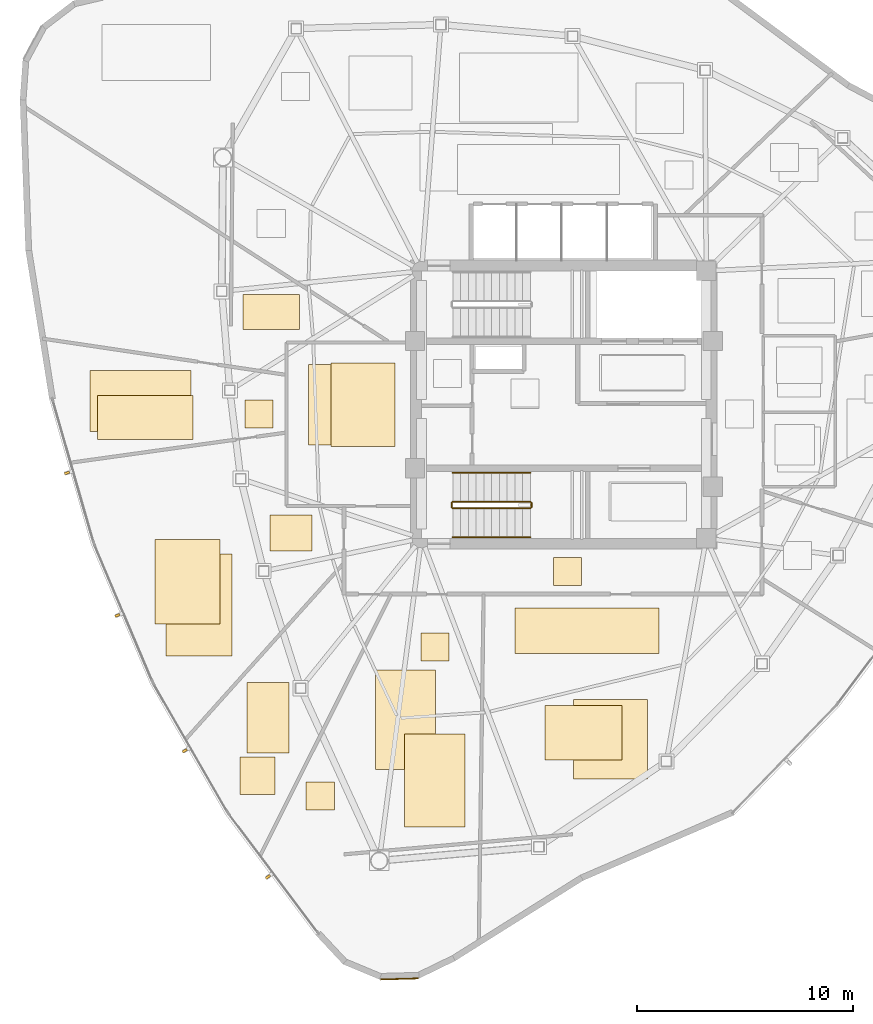
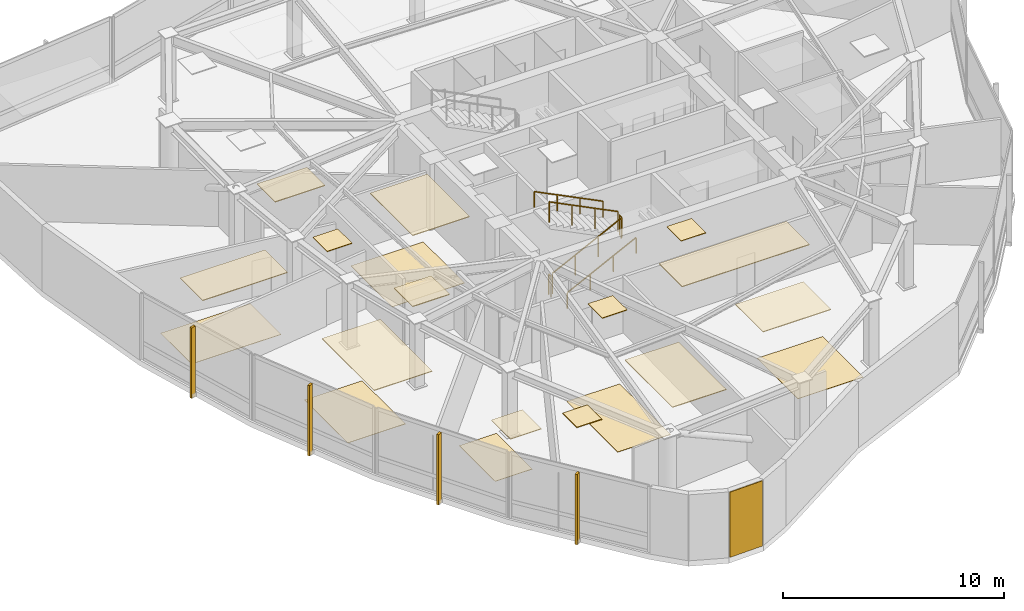
# One storey, part 12 of 14: 20 coverings, 6 railings, 4 shading devices.
"""IFC4 building model written with IfcOpenShell, lengths in metres."""

from ifc_helpers import new_model, si_unit, direction, frame, origin, origin_2d, place, context, subcontext, project, spatial, polyline, rectangle, outline, extrude, source, transform, mapped, material, layer, layer_set, type_object, type_shapes, element, save


model = new_model("IFC4")

# Units and contexts
model_context = context("Model", 3, precision=1e-05, world=origin(), true_north=direction((0.0, 1.0)))
body_context = subcontext(model_context, "Body", "Model", "MODEL_VIEW")
ifc_project = project(units=[si_unit("LENGTHUNIT", "METRE"), si_unit("AREAUNIT", "SQUARE_METRE"), si_unit("VOLUMEUNIT", "CUBIC_METRE"), si_unit("PLANEANGLEUNIT", "RADIAN"), si_unit("MASSUNIT", "GRAM", prefix="KILO")], contexts=[model_context])

# Site, building, storey
site_placement = place(None, origin())
site = spatial("IfcSite", under=ifc_project, at=site_placement, CompositionType="ELEMENT")
building_placement = place(site_placement, origin())
building = spatial("IfcBuilding", under=site, at=building_placement, Name="Tavelor Broadcast Tower", CompositionType="ELEMENT")
storey_placement = place(building_placement, frame((0.0, 0.0, 249.800048828125)))
storey = spatial("IfcBuildingStorey", under=building, at=storey_placement, Name="L59", CompositionType="ELEMENT", Elevation=249.800048828125)

# Covering
ifc_material_1 = material(Name="Copper-Bronze Anodized Aluminium", Category="aluminium")
ifc_layer_1 = layer(ifc_material_1, 0.050048828125)
ifc_layer_set_1 = layer_set([ifc_layer_1], Name="Copper-Bronze Anodized Aluminium")
covering_type_1 = type_object("IfcCoveringType", Name="Champagne-Bronze Corner Pier Metal Cladding 50 mm", PredefinedType="CLADDING", material=ifc_layer_set_1)
covering_1_placement = place(storey_placement, frame((42.3798828125, 18.376220703125, 0.02001953125), z_axis=(0.0, 0.0, 1.0), x_axis=(0.999585368194, 0.028793952368, 0.0)))
element("IfcCovering", 1, at=covering_1_placement, inside=storey, type_object=covering_type_1, Name="L59 Champagne-Bronze Corner Cladding 13", PredefinedType="CLADDING", context=body_context, shape_type="SweptSolid", body=[
    extrude(rectangle(XDim=1.739013671875, YDim=0.050048828125, at=origin_2d()), origin(), (0.0, 0.0, 1.0), 3.610107421875),
])

# Railings
ifc_material_2 = material(Name="Steel S355", Category="steel")
railing_type_1 = type_object("IfcRailingType", Name="Continuous Brushed Stainless Handrail 900 mm", PredefinedType="HANDRAIL", material=ifc_material_2)
railing_1_placement = place(storey_placement, frame((44.85009765625, 38.85009765625, 0.179443359375)))
element("IfcRailing", 2, at=railing_1_placement, inside=storey, type_object=railing_type_1, Name="L59 ST2 stair handrail 1", PredefinedType="HANDRAIL", context=body_context, shape_type="SweptSolid", body=[
    extrude(rectangle(XDim=0.048095703125, YDim=0.048095703125, at=origin_2d()), frame((0.0, 0.0, 0.8759765625), z_axis=(0.894875846893, 0.0, 0.446315156192), x_axis=(0.0, 1.0, 0.0)), (0.0, 0.0, 1.0), 4.022705078125),
    extrude(rectangle(XDim=0.0419921875, YDim=0.0419921875, at=origin_2d()), origin(), (0.0, 0.0, 1.0), 0.851806640625),
    extrude(rectangle(XDim=0.0419921875, YDim=0.0419921875, at=origin_2d()), frame((1.199951171875, 0.0, 0.598388671875)), (0.0, 0.0, 1.0), 0.851806640625),
    extrude(rectangle(XDim=0.0419921875, YDim=0.0419921875, at=origin_2d()), frame((2.39990234375, 0.0, 1.197021484375)), (0.0, 0.0, 1.0), 0.851806640625),
    extrude(rectangle(XDim=0.0419921875, YDim=0.0419921875, at=origin_2d()), frame((3.599853515625, 0.0, 1.79541015625)), (0.0, 0.0, 1.0), 0.851806640625),
])
railing_2_placement = place(storey_placement, frame((48.449951171875, 41.85009765625, 2.154541015625)))
element("IfcRailing", 3, at=railing_2_placement, inside=storey, type_object=railing_type_1, Name="L59 ST2 stair handrail 2", PredefinedType="HANDRAIL", context=body_context, shape_type="SweptSolid", body=[
    extrude(rectangle(XDim=0.048095703125, YDim=0.048095703125, at=origin_2d()), frame((0.0, 0.0, 0.8759765625), z_axis=(-0.894875846893, 0.0, 0.446315156192), x_axis=(0.0, -1.0, 0.0)), (0.0, 0.0, 1.0), 4.022705078125),
    extrude(rectangle(XDim=0.0419921875, YDim=0.0419921875, at=origin_2d()), origin(), (0.0, 0.0, 1.0), 0.851806640625),
    extrude(rectangle(XDim=0.0419921875, YDim=0.0419921875, at=origin_2d()), frame((-1.199951171875, 0.0, 0.598388671875)), (0.0, 0.0, 1.0), 0.851806640625),
    extrude(rectangle(XDim=0.0419921875, YDim=0.0419921875, at=origin_2d()), frame((-2.39990234375, 0.0, 1.197021484375)), (0.0, 0.0, 1.0), 0.851806640625),
    extrude(rectangle(XDim=0.0419921875, YDim=0.0419921875, at=origin_2d()), frame((-3.599853515625, 0.0, 1.79541015625)), (0.0, 0.0, 1.0), 0.851806640625),
])

# Coverings
ifc_material_3 = material(Name="Architectural Anodized Aluminium", Category="aluminium")
ifc_layer_2 = layer(ifc_material_3, 0.034912109375)
ifc_layer_set_2 = layer_set([ifc_layer_2], Name="Architectural Anodized Aluminium")
covering_type_2 = type_object("IfcCoveringType", Name="Demountable Metal Tile Corridor Ceiling 35 mm", PredefinedType="CEILING", material=ifc_layer_set_2)
covering_2_placement = place(storey_placement, frame((0.0, 0.0, 3.614990234375)))
element("IfcCovering", 4, at=covering_2_placement, inside=storey, type_object=covering_type_2, Name="L59 Suspended Acoustic Ceiling 2309", PredefinedType="CEILING", context=body_context, shape_type="SweptSolid", body=[
    extrude(outline(polyline([(49.51025390625, 36.610107421875), (50.810302734375, 36.610107421875), (50.810302734375, 37.909912109375), (49.51025390625, 37.909912109375), (49.51025390625, 36.610107421875)])), origin(), (0.0, 0.0, 1.0), 0.034912109375),
])
ifc_material_4 = material(Name="Acoustic Nylon Carpet Tile")
ifc_layer_3 = layer(ifc_material_4, 0.02001953125)
ifc_layer_set_3 = layer_set([ifc_layer_3], Name="Acoustic Nylon Carpet Tile")
covering_type_3 = type_object("IfcCoveringType", Name="Heavy-Duty Acoustic Broadcast Carpet Tile 20 mm", PredefinedType="FLOORING", material=ifc_layer_set_3)
covering_3_placement = place(storey_placement, origin())
element("IfcCovering", 5, at=covering_3_placement, inside=storey, type_object=covering_type_3, Name="L59 Broadcast Floor Finish 0866", PredefinedType="FLOORING", context=body_context, shape_type="SweptSolid", body=[
    extrude(outline(polyline([(38.15771484375, 43.12890625), (41.942138671875, 43.12890625), (41.942138671875, 46.87060546875), (38.15771484375, 46.87060546875), (38.15771484375, 43.12890625)])), origin(), (0.0, 0.0, 1.0), 0.02001953125),
])
covering_4_placement = place(storey_placement, origin())
element("IfcCovering", 6, at=covering_4_placement, inside=storey, type_object=covering_type_3, Name="L59 Broadcast Floor Finish 0869", PredefinedType="FLOORING", context=body_context, shape_type="SweptSolid", body=[
    extrude(outline(polyline([(50.444580078125, 27.650146484375), (53.87548828125, 27.650146484375), (53.87548828125, 31.341796875), (50.444580078125, 31.341796875), (50.444580078125, 27.650146484375)])), origin(), (0.0, 0.0, 1.0), 0.02001953125),
])
covering_5_placement = place(storey_placement, origin())
element("IfcCovering", 7, at=covering_5_placement, inside=storey, type_object=covering_type_3, Name="L59 Broadcast Floor Finish 0870", PredefinedType="FLOORING", context=body_context, shape_type="SweptSolid", body=[
    extrude(outline(polyline([(41.272216796875, 28.089599609375), (44.0439453125, 28.089599609375), (44.0439453125, 32.705810546875), (41.272216796875, 32.705810546875), (41.272216796875, 28.089599609375)])), origin(), (0.0, 0.0, 1.0), 0.02001953125),
])
covering_6_placement = place(storey_placement, origin())
element("IfcCovering", 8, at=covering_6_placement, inside=storey, type_object=covering_type_3, Name="L59 Broadcast Floor Finish 0871", PredefinedType="FLOORING", context=body_context, shape_type="SweptSolid", body=[
    extrude(outline(polyline([(35.30517578125, 28.85498046875), (37.250244140625, 28.85498046875), (37.250244140625, 32.114990234375), (35.30517578125, 32.114990234375), (35.30517578125, 28.85498046875)])), origin(), (0.0, 0.0, 1.0), 0.02001953125),
])
covering_7_placement = place(storey_placement, origin())
element("IfcCovering", 9, at=covering_7_placement, inside=storey, type_object=covering_type_3, Name="L59 Broadcast Floor Finish 0872", PredefinedType="FLOORING", context=body_context, shape_type="SweptSolid", body=[
    extrude(outline(polyline([(31.039794921875, 34.822265625), (34.057373046875, 34.822265625), (34.057373046875, 38.751708984375), (31.039794921875, 38.751708984375), (31.039794921875, 34.822265625)])), origin(), (0.0, 0.0, 1.0), 0.02001953125),
])
covering_8_placement = place(storey_placement, origin())
element("IfcCovering", 10, at=covering_8_placement, inside=storey, type_object=covering_type_3, Name="L59 Broadcast Floor Finish 0873", PredefinedType="FLOORING", context=body_context, shape_type="SweptSolid", body=[
    extrude(outline(polyline([(28.027587890625, 43.7626953125), (32.713623046875, 43.7626953125), (32.713623046875, 46.57568359375), (28.027587890625, 46.57568359375), (28.027587890625, 43.7626953125)])), origin(), (0.0, 0.0, 1.0), 0.02001953125),
])

# Railings
railing_type_2 = type_object("IfcRailingType", Name="Stairwell Steel Safety Guardrail 1150 mm", PredefinedType="GUARDRAIL", material=ifc_material_2)
railing_3_placement = place(storey_placement, frame((44.85009765625, 40.199951171875, 0.179443359375)))
element("IfcRailing", 11, at=railing_3_placement, inside=storey, type_object=railing_type_2, Name="L59 ST2 stair guard 1", PredefinedType="GUARDRAIL", context=body_context, shape_type="SweptSolid", body=[
    extrude(rectangle(XDim=0.048095703125, YDim=0.048095703125, at=origin_2d()), frame((0.0, 0.0, 1.1259765625), z_axis=(0.894875846893, 0.0, 0.446315156192), x_axis=(0.0, 1.0, 0.0)), (0.0, 0.0, 1.0), 4.022705078125),
    extrude(rectangle(XDim=0.0419921875, YDim=0.0419921875, at=origin_2d()), origin(), (0.0, 0.0, 1.0), 1.101806640625),
    extrude(rectangle(XDim=0.0419921875, YDim=0.0419921875, at=origin_2d()), frame((1.199951171875, 0.0, 0.598388671875)), (0.0, 0.0, 1.0), 1.101806640625),
    extrude(rectangle(XDim=0.0419921875, YDim=0.0419921875, at=origin_2d()), frame((2.39990234375, 0.0, 1.197021484375)), (0.0, 0.0, 1.0), 1.101806640625),
    extrude(rectangle(XDim=0.0419921875, YDim=0.0419921875, at=origin_2d()), frame((3.599853515625, 0.0, 1.79541015625)), (0.0, 0.0, 1.0), 1.101806640625),
])
railing_4_placement = place(storey_placement, frame((48.5, 40.25, 1.974853515625)))
element("IfcRailing", 12, at=railing_4_placement, inside=storey, type_object=railing_type_2, Name="L59 ST2 stair guard 2", PredefinedType="GUARDRAIL", context=body_context, shape_type="SweptSolid", body=[
    extrude(rectangle(XDim=0.048095703125, YDim=0.048095703125, at=origin_2d()), frame((0.0, 0.0, 1.1259765625), z_axis=(0.0, 1.0, 0.0), x_axis=(-1.0, 0.0, 0.0)), (0.0, 0.0, 1.0), 0.199951171875),
    extrude(rectangle(XDim=0.0419921875, YDim=0.0419921875, at=origin_2d()), origin(), (0.0, 0.0, 1.0), 1.101806640625),
    extrude(rectangle(XDim=0.0419921875, YDim=0.0419921875, at=origin_2d()), frame((0.0, 0.199951171875, 0.0)), (0.0, 0.0, 1.0), 1.101806640625),
])
railing_5_placement = place(storey_placement, frame((48.449951171875, 40.5, 2.154541015625)))
element("IfcRailing", 13, at=railing_5_placement, inside=storey, type_object=railing_type_2, Name="L59 ST2 stair guard 3", PredefinedType="GUARDRAIL", context=body_context, shape_type="SweptSolid", body=[
    extrude(rectangle(XDim=0.048095703125, YDim=0.048095703125, at=origin_2d()), frame((0.0, 0.0, 1.1259765625), z_axis=(-0.894875846893, 0.0, 0.446315156192), x_axis=(0.0, -1.0, 0.0)), (0.0, 0.0, 1.0), 4.022705078125),
    extrude(rectangle(XDim=0.0419921875, YDim=0.0419921875, at=origin_2d()), origin(), (0.0, 0.0, 1.0), 1.101806640625),
    extrude(rectangle(XDim=0.0419921875, YDim=0.0419921875, at=origin_2d()), frame((-1.199951171875, 0.0, 0.598388671875)), (0.0, 0.0, 1.0), 1.101806640625),
    extrude(rectangle(XDim=0.0419921875, YDim=0.0419921875, at=origin_2d()), frame((-2.39990234375, 0.0, 1.197021484375)), (0.0, 0.0, 1.0), 1.101806640625),
    extrude(rectangle(XDim=0.0419921875, YDim=0.0419921875, at=origin_2d()), frame((-3.599853515625, 0.0, 1.79541015625)), (0.0, 0.0, 1.0), 1.101806640625),
])
railing_6_placement = place(storey_placement, frame((44.800048828125, 40.25, 0.0)))
element("IfcRailing", 14, at=railing_6_placement, inside=storey, type_object=railing_type_2, Name="L59 ST2 stair guard 4", PredefinedType="GUARDRAIL", context=body_context, shape_type="SweptSolid", body=[
    extrude(rectangle(XDim=0.048095703125, YDim=0.048095703125, at=origin_2d()), frame((0.0, 0.0, 1.1259765625), z_axis=(0.0, 1.0, 0.0), x_axis=(-1.0, 0.0, 0.0)), (0.0, 0.0, 1.0), 0.199951171875),
    extrude(rectangle(XDim=0.0419921875, YDim=0.0419921875, at=origin_2d()), origin(), (0.0, 0.0, 1.0), 1.101806640625),
    extrude(rectangle(XDim=0.0419921875, YDim=0.0419921875, at=origin_2d()), frame((0.0, 0.199951171875, 0.0)), (0.0, 0.0, 1.0), 1.101806640625),
])

# Coverings
ifc_material_5 = material(Name="Acoustic Mineral Fibre Tile")
ifc_layer_4 = layer(ifc_material_5, 0.0400390625)
ifc_layer_set_4 = layer_set([ifc_layer_4], Name="Acoustic Mineral Fibre Tile")
covering_type_4 = type_object("IfcCoveringType", Name="Suspended Acoustic Mineral-Fibre Office Ceiling 40 mm", PredefinedType="CEILING", material=ifc_layer_set_4)
covering_9_placement = place(storey_placement, frame((0.0, 0.0, 3.60986328125)))
element("IfcCovering", 15, at=covering_9_placement, inside=storey, type_object=covering_type_4, Name="L59 Suspended Acoustic Ceiling 2310", PredefinedType="CEILING", context=body_context, shape_type="SweptSolid", body=[
    extrude(outline(polyline([(39.194580078125, 43.0712890625), (42.177978515625, 43.0712890625), (42.177978515625, 46.927978515625), (39.194580078125, 46.927978515625), (39.194580078125, 43.0712890625)])), origin(), (0.0, 0.0, 1.0), 0.0400390625),
])
covering_10_placement = place(storey_placement, frame((0.0, 0.0, 3.60986328125)))
element("IfcCovering", 16, at=covering_10_placement, inside=storey, type_object=covering_type_4, Name="L59 Suspended Acoustic Ceiling 2313", PredefinedType="CEILING", context=body_context, shape_type="SweptSolid", body=[
    extrude(outline(polyline([(49.135009765625, 28.53271484375), (52.697021484375, 28.53271484375), (52.697021484375, 31.042724609375), (49.135009765625, 31.042724609375), (49.135009765625, 28.53271484375)])), origin(), (0.0, 0.0, 1.0), 0.0400390625),
])
covering_11_placement = place(storey_placement, frame((0.0, 0.0, 3.60986328125)))
element("IfcCovering", 17, at=covering_11_placement, inside=storey, type_object=covering_type_4, Name="L59 Suspended Acoustic Ceiling 2314", PredefinedType="CEILING", context=body_context, shape_type="SweptSolid", body=[
    extrude(outline(polyline([(47.7451171875, 33.45849609375), (54.41455078125, 33.45849609375), (54.41455078125, 35.563720703125), (47.7451171875, 35.563720703125), (47.7451171875, 33.45849609375)])), origin(), (0.0, 0.0, 1.0), 0.0400390625),
])
covering_12_placement = place(storey_placement, frame((0.0, 0.0, 3.60986328125)))
element("IfcCovering", 18, at=covering_12_placement, inside=storey, type_object=covering_type_4, Name="L59 Suspended Acoustic Ceiling 2315", PredefinedType="CEILING", context=body_context, shape_type="SweptSolid", body=[
    extrude(outline(polyline([(38.0556640625, 26.214599609375), (39.355712890625, 26.214599609375), (39.355712890625, 27.514404296875), (38.0556640625, 27.514404296875), (38.0556640625, 26.214599609375)])), origin(), (0.0, 0.0, 1.0), 0.0400390625),
])
covering_13_placement = place(storey_placement, frame((0.0, 0.0, 3.60986328125)))
element("IfcCovering", 19, at=covering_13_placement, inside=storey, type_object=covering_type_4, Name="L59 Suspended Acoustic Ceiling 2316", PredefinedType="CEILING", context=body_context, shape_type="SweptSolid", body=[
    extrude(outline(polyline([(43.373046875, 33.119384765625), (44.673095703125, 33.119384765625), (44.673095703125, 34.41943359375), (43.373046875, 34.41943359375), (43.373046875, 33.119384765625)])), origin(), (0.0, 0.0, 1.0), 0.0400390625),
])
covering_14_placement = place(storey_placement, frame((0.0, 0.0, 3.60986328125)))
element("IfcCovering", 20, at=covering_14_placement, inside=storey, type_object=covering_type_4, Name="L59 Suspended Acoustic Ceiling 2317", PredefinedType="CEILING", context=body_context, shape_type="SweptSolid", body=[
    extrude(outline(polyline([(42.60205078125, 25.427978515625), (45.41748046875, 25.427978515625), (45.41748046875, 29.74169921875), (42.60205078125, 29.74169921875), (42.60205078125, 25.427978515625)])), origin(), (0.0, 0.0, 1.0), 0.0400390625),
])
covering_15_placement = place(storey_placement, frame((0.0, 0.0, 3.60986328125)))
element("IfcCovering", 21, at=covering_15_placement, inside=storey, type_object=covering_type_4, Name="L59 Suspended Acoustic Ceiling 2318", PredefinedType="CEILING", context=body_context, shape_type="SweptSolid", body=[
    extrude(outline(polyline([(34.986328125, 26.92431640625), (36.611572265625, 26.92431640625), (36.611572265625, 28.65576171875), (34.986328125, 28.65576171875), (34.986328125, 26.92431640625)])), origin(), (0.0, 0.0, 1.0), 0.0400390625),
])
covering_16_placement = place(storey_placement, frame((0.0, 0.0, 3.60986328125)))
element("IfcCovering", 22, at=covering_16_placement, inside=storey, type_object=covering_type_4, Name="L59 Suspended Acoustic Ceiling 2319", PredefinedType="CEILING", context=body_context, shape_type="SweptSolid", body=[
    extrude(outline(polyline([(31.559326171875, 33.340576171875), (34.610595703125, 33.340576171875), (34.610595703125, 38.06591796875), (31.559326171875, 38.06591796875), (31.559326171875, 33.340576171875)])), origin(), (0.0, 0.0, 1.0), 0.0400390625),
])
covering_17_placement = place(storey_placement, frame((0.0, 0.0, 3.60986328125)))
element("IfcCovering", 23, at=covering_17_placement, inside=storey, type_object=covering_type_4, Name="L59 Suspended Acoustic Ceiling 2320", PredefinedType="CEILING", context=body_context, shape_type="SweptSolid", body=[
    extrude(outline(polyline([(36.384521484375, 38.205078125), (38.322509765625, 38.205078125), (38.322509765625, 39.88623046875), (36.384521484375, 39.88623046875), (36.384521484375, 38.205078125)])), origin(), (0.0, 0.0, 1.0), 0.0400390625),
])
covering_18_placement = place(storey_placement, frame((0.0, 0.0, 3.60986328125)))
element("IfcCovering", 24, at=covering_18_placement, inside=storey, type_object=covering_type_4, Name="L59 Suspended Acoustic Ceiling 2321", PredefinedType="CEILING", context=body_context, shape_type="SweptSolid", body=[
    extrude(outline(polyline([(28.387939453125, 43.374267578125), (32.81787109375, 43.374267578125), (32.81787109375, 45.42431640625), (28.387939453125, 45.42431640625), (28.387939453125, 43.374267578125)])), origin(), (0.0, 0.0, 1.0), 0.0400390625),
])
covering_19_placement = place(storey_placement, frame((0.0, 0.0, 3.60986328125)))
element("IfcCovering", 25, at=covering_19_placement, inside=storey, type_object=covering_type_4, Name="L59 Suspended Acoustic Ceiling 2322", PredefinedType="CEILING", context=body_context, shape_type="SweptSolid", body=[
    extrude(outline(polyline([(35.209716796875, 43.90966796875), (36.509765625, 43.90966796875), (36.509765625, 45.209716796875), (35.209716796875, 45.209716796875), (35.209716796875, 43.90966796875)])), origin(), (0.0, 0.0, 1.0), 0.0400390625),
])
covering_20_placement = place(storey_placement, frame((0.0, 0.0, 3.60986328125)))
element("IfcCovering", 26, at=covering_20_placement, inside=storey, type_object=covering_type_4, Name="L59 Suspended Acoustic Ceiling 2323", PredefinedType="CEILING", context=body_context, shape_type="SweptSolid", body=[
    extrude(outline(polyline([(35.121826171875, 48.478271484375), (37.73291015625, 48.478271484375), (37.73291015625, 50.117431640625), (35.121826171875, 50.117431640625), (35.121826171875, 48.478271484375)])), origin(), (0.0, 0.0, 1.0), 0.0400390625),
])

# Shading devices
ifc_material_6 = material(Name="Kiln-Fired Glazed Terracotta", Category="masonry")
shading_device_type = type_object("IfcShadingDeviceType", Name="Extruded Terracotta Baguette Sun-Screen 110x240", PredefinedType="JALOUSIE", material=ifc_material_6)
shared_shape = source(origin(), body_context, "Body", "SweptSolid", [
    extrude(rectangle(XDim=0.110107421875, YDim=0.239990234375, at=origin_2d()), origin(), (0.0, 0.0, 1.0), 3.889892578125),
])
type_shapes(shading_device_type, [shared_shape])
for number, where, z_axis, x_axis, name in (
    (27, (26.96240234375, 41.83349609375, -0.259765625), (0.0, 0.0, 1.0), (0.276140633457, -0.961117240795, 0.0), "L59 Terracotta Baguette Fin 613"),
    (28, (29.301513671875, 35.228515625, -0.259765625), (0.0, 0.0, 1.0), (0.390409787882, -0.920641188263, 0.0), "L59 Terracotta Baguette Fin 614"),
    (29, (32.42236328125, 28.955078125, -0.259765625), (0.0, 0.0, 1.0), (0.498941577478, -0.866635622545, 0.0), "L59 Terracotta Baguette Fin 615"),
    (30, (36.279541015625, 23.105712890625, -0.259765625), (0.0, 0.0, 1.0), (0.600141046146, -0.79989419596, 0.0), "L59 Terracotta Baguette Fin 616"),
):
    element("IfcShadingDevice", number, at=place(storey_placement, frame(where, z_axis=z_axis, x_axis=x_axis)), inside=storey, type_object=shading_device_type, Name=name, PredefinedType="JALOUSIE", context=body_context, shape_type="MappedRepresentation", body=[
        mapped(shared_shape, transform((0.0, 0.0, 0.0), scale=1.0)),
    ])

save(model, "model.ifc")
